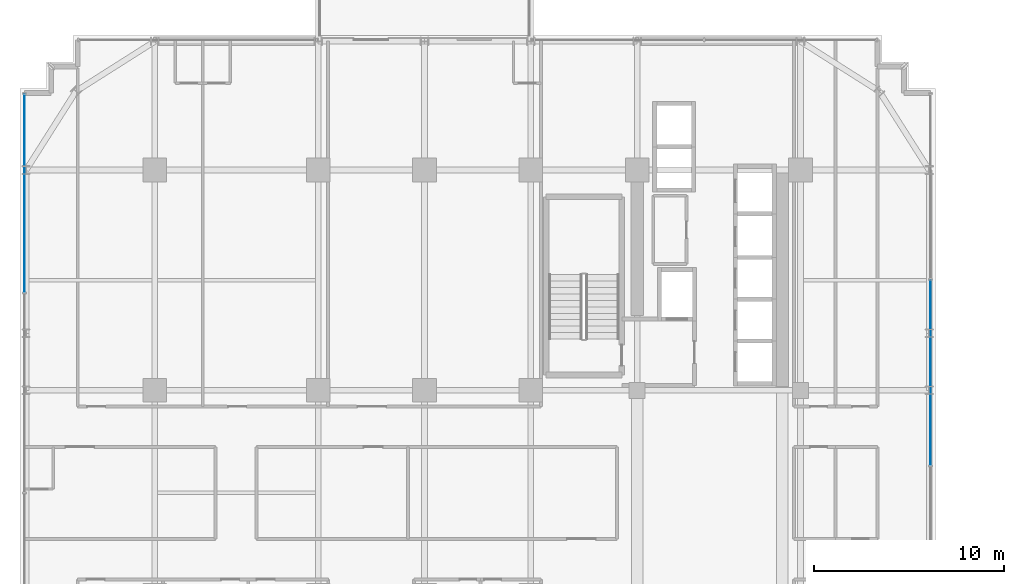
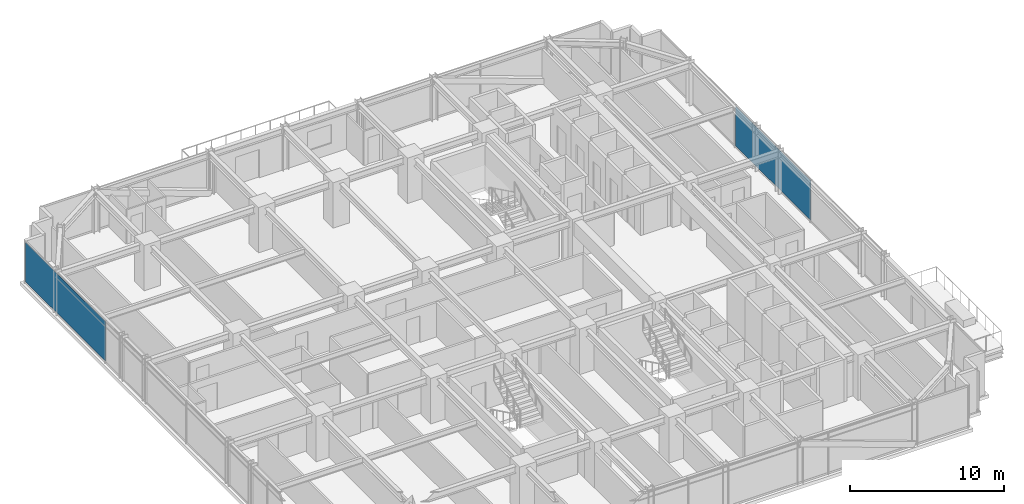
# One storey, part 29 of 41: 2 plates, 2 elements without a shape of their own.
"""IFC4 building model written with IfcOpenShell, lengths in metres."""

from ifc_helpers import new_model, si_unit, direction, frame, origin, origin_2d, place, context, subcontext, project, spatial, rectangle, extrude, source, transform, mapped, material, layer, layer_set, type_object, element, aggregate, save


model = new_model("IFC4")

# Units and contexts
model_context = context("Model", 3, precision=1e-05, world=origin(), true_north=direction((0.0, 1.0)))
body_context = subcontext(model_context, "Body", "Model", "MODEL_VIEW")
ifc_project = project(units=[si_unit("LENGTHUNIT", "METRE"), si_unit("AREAUNIT", "SQUARE_METRE"), si_unit("VOLUMEUNIT", "CUBIC_METRE"), si_unit("PLANEANGLEUNIT", "RADIAN"), si_unit("MASSUNIT", "GRAM", prefix="KILO")], contexts=[model_context])

# Site, building, storey
site_placement = place(None, origin())
site = spatial("IfcSite", under=ifc_project, at=site_placement, CompositionType="ELEMENT")
building_placement = place(site_placement, origin())
building = spatial("IfcBuilding", under=site, at=building_placement, Name="Nahalor Promenade Grand Hotel", CompositionType="ELEMENT")
storey_placement = place(building_placement, frame((0.0, 0.0, 113.85009765625)))
storey = spatial("IfcBuildingStorey", under=building, at=storey_placement, Name="L28", CompositionType="ELEMENT", Elevation=113.85009765625)

# Curtain wall, plate
ifc_material_1 = material(Name="Anodised Bronze Aluminium EN AW-6063 T6", Category="aluminium")
curtain_wall_type = type_object("IfcCurtainWallType", Name="CW2 Typical Hotel Flush Bronze Unitised Curtain Wall", PredefinedType="USERDEFINED", material=ifc_material_1)
curtain_wall_1_placement = place(storey_placement, origin())
curtain_wall_1 = element("IfcCurtainWall", 1, at=curtain_wall_1_placement, inside=storey, type_object=curtain_wall_type, Name="L28 Curtain Wall CW-L28-E-3", ObjectType="UNITISED_CURTAIN_WALL", PredefinedType="USERDEFINED")
ifc_material_2 = material(Name="Low-E Laminated Solar Glass", Category="glass")
ifc_layer = layer(ifc_material_2, 0.028076171875)
ifc_layer_set = layer_set([ifc_layer], Name="Low-E Laminated Solar Glass")
plate_type = type_object("IfcPlateType", Name="CWP2 Bronze Low-E Vision IGU 28mm", PredefinedType="CURTAIN_PANEL", material=ifc_layer_set)
shared_shape_1 = source(origin(), body_context, "Body", "SweptSolid", [
    extrude(rectangle(XDim=9.7548828125, YDim=0.028076171875, at=origin_2d()), origin(), (0.0, 0.0, 1.0), 3.1201171875),
])
plate_1_placement = place(storey_placement, frame((23.860107421875, 6.330078125, 0.1298828125), z_axis=(0.0, 0.0, 1.0), x_axis=(0.0, 1.0, 0.0)))
plate_1 = element("IfcPlate", 2, at=plate_1_placement, type_object=plate_type, Name="CW-L28-E-3 Glazing Panel 1-0", PredefinedType="CURTAIN_PANEL", context=body_context, shape_type="MappedRepresentation", body=[
    mapped(shared_shape_1, transform((0.0, 0.0, 0.0), scale=1.0)),
])
aggregate(curtain_wall_1, [plate_1])

curtain_wall_2_placement = place(storey_placement, origin())
curtain_wall_2 = element("IfcCurtainWall", 3, at=curtain_wall_2_placement, inside=storey, type_object=curtain_wall_type, Name="L28 Curtain Wall CW-L28-W-1", ObjectType="UNITISED_CURTAIN_WALL", PredefinedType="USERDEFINED")
shared_shape_2 = source(origin(), body_context, "Body", "SweptSolid", [
    extrude(rectangle(XDim=10.4326171875, YDim=0.028076171875, at=origin_2d()), origin(), (0.0, 0.0, 1.0), 3.1201171875),
])
plate_2_placement = place(storey_placement, frame((-23.860107421875, 15.77880859375, 0.1298828125), z_axis=(0.0, 0.0, 1.0), x_axis=(0.0, 1.0, 0.0)))
plate_2 = element("IfcPlate", 4, at=plate_2_placement, type_object=plate_type, Name="CW-L28-W-1 Glazing Panel 3-0", PredefinedType="CURTAIN_PANEL", context=body_context, shape_type="MappedRepresentation", body=[
    mapped(shared_shape_2, transform((0.0, 0.0, 0.0), scale=1.0)),
])
aggregate(curtain_wall_2, [plate_2])

save(model, "model.ifc")
